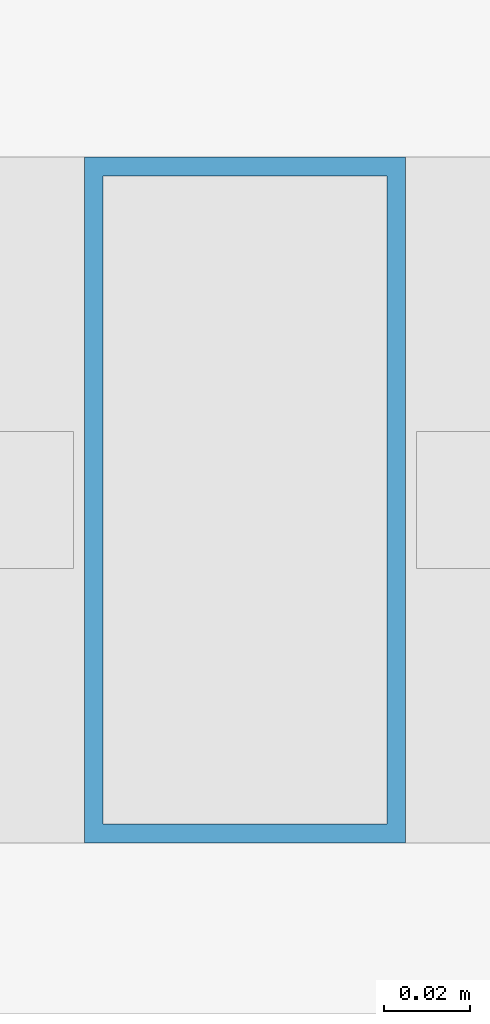
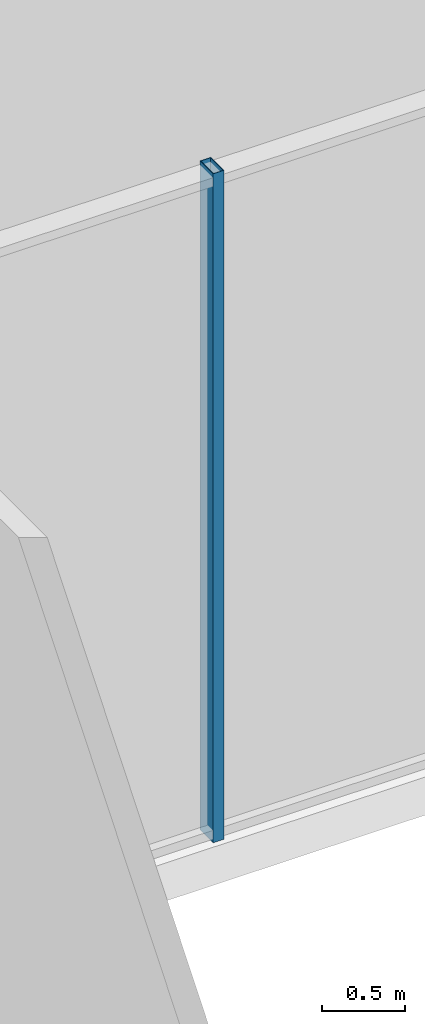
# One storey, part 18 of 49: 1 member, 1 element without a shape of its own.
"""IFC4 building model written with IfcOpenShell, lengths in metres."""

from ifc_helpers import new_model, si_unit, direction, frame, origin, origin_2d, place, context, subcontext, project, spatial, hollow_rectangle, extrude, material, material_profile, profile_set, type_object, element, aggregate, save


model = new_model("IFC4")

# Units and contexts
model_context = context("Model", 3, precision=1e-05, world=origin(), true_north=direction((0.0, 1.0)))
body_context = subcontext(model_context, "Body", "Model", "MODEL_VIEW")
ifc_project = project(units=[si_unit("LENGTHUNIT", "METRE"), si_unit("AREAUNIT", "SQUARE_METRE"), si_unit("VOLUMEUNIT", "CUBIC_METRE"), si_unit("PLANEANGLEUNIT", "RADIAN"), si_unit("MASSUNIT", "GRAM", prefix="KILO")], contexts=[model_context])

# Site, building, storey
site_placement = place(None, origin())
site = spatial("IfcSite", under=ifc_project, at=site_placement, CompositionType="ELEMENT")
building_placement = place(site_placement, origin())
building = spatial("IfcBuilding", under=site, at=building_placement, Name="Kolvaren Belvedere", CompositionType="ELEMENT")
storey_placement = place(building_placement, frame((0.0, 0.0, 10.0)))
storey = spatial("IfcBuildingStorey", under=building, at=storey_placement, Name="L03", CompositionType="ELEMENT", Elevation=10.0)

# Curtain wall, member
ifc_material_1 = material(Name="Anodised pale-metal aluminium AA 6063-T6", Category="aluminium")
curtain_wall_type = type_object("IfcCurtainWallType", Name="CW-POD-A", PredefinedType="NOTDEFINED", material=ifc_material_1)
curtain_wall_placement = place(storey_placement, origin())
curtain_wall = element("IfcCurtainWall", 1, at=curtain_wall_placement, inside=storey, type_object=curtain_wall_type, Name="L03 Unitised Curtain Wall FCW-L03-SEG3", PredefinedType="NOTDEFINED")
ifc_material_2 = material(Name="Anodised pale-metal aluminium AA 6063-T6", Category="aluminium")
ifc_material_profile = material_profile(ifc_material_2, hollow_rectangle(XDim=0.074951171875, YDim=0.159912109375, WallThickness=0.00439453125, at=origin_2d()), Name="ALU-MUL-160X75")
ifc_profile_set = profile_set([ifc_material_profile], Name="Anodised pale-metal aluminium AA 6063-T6")
member_type = type_object("IfcMemberType", Name="CW-MUL-160", PredefinedType="MULLION", material=ifc_profile_set)
member_placement = place(storey_placement, frame((6.0, -18.280029296875, 0.0), z_axis=(0.0, 0.0, 1.0), x_axis=(1.0, 0.0, 0.0)))
member = element("IfcMember", 2, at=member_placement, type_object=member_type, Name="FCW-L03-SEG3 Unitised Mullion 2", PredefinedType="MULLION", context=body_context, shape_type="SweptSolid", body=[
    extrude(hollow_rectangle(XDim=0.074951171875, YDim=0.159912109375, WallThickness=0.00439453125, at=origin_2d()), origin(), (0.0, 0.0, 1.0), 4.919921875),
])
aggregate(curtain_wall, [member])

save(model, "model.ifc")
